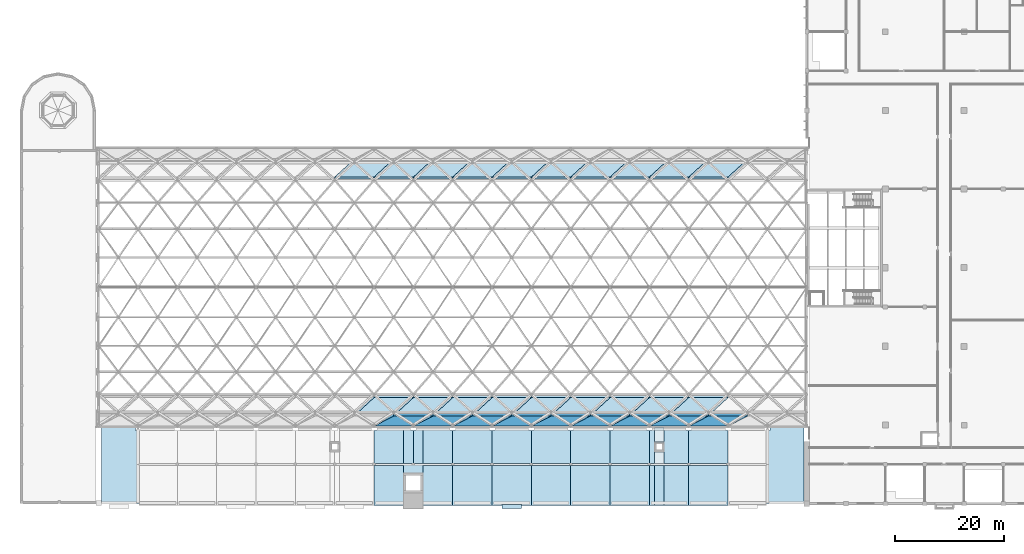
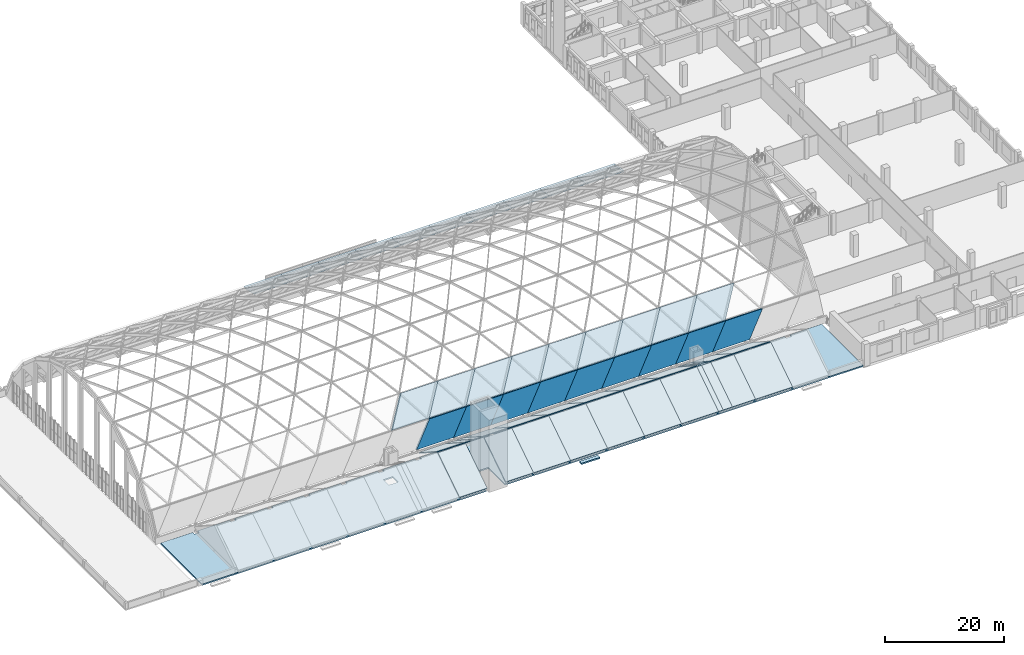
# One storey, part 27 of 52: 55 slabs.
"""IFC4 building model written with IfcOpenShell, lengths in metres."""

from ifc_helpers import new_model, si_unit, direction, frame, origin, place, context, subcontext, project, spatial, polyline, outline, extrude, material, layer, layer_set, type_object, element, save


model = new_model("IFC4")

# Units and contexts
model_context = context("Model", 3, precision=1e-05, world=origin(), true_north=direction((0.0, 1.0)))
body_context = subcontext(model_context, "Body", "Model", "MODEL_VIEW")
ifc_project = project(units=[si_unit("LENGTHUNIT", "METRE"), si_unit("AREAUNIT", "SQUARE_METRE"), si_unit("VOLUMEUNIT", "CUBIC_METRE"), si_unit("PLANEANGLEUNIT", "RADIAN"), si_unit("MASSUNIT", "GRAM", prefix="KILO")], contexts=[model_context])

# Site, building, storey
site_placement = place(None, origin())
site = spatial("IfcSite", under=ifc_project, at=site_placement, CompositionType="ELEMENT")
building_placement = place(site_placement, origin())
building = spatial("IfcBuilding", under=site, at=building_placement, Name="Vermilion Court Aquatics Centre", CompositionType="ELEMENT")
storey_placement = place(building_placement, frame((0.0, 0.0, 12.0)))
storey = spatial("IfcBuildingStorey", under=building, at=storey_placement, Name="L02", CompositionType="ELEMENT", Elevation=12.0)

# Slabs
ifc_material_1 = material(Name="Zinc standing seam sheet", Category="metal")
ifc_layer_1 = layer(ifc_material_1, 0.5)
ifc_layer_set_1 = layer_set([ifc_layer_1], Name="Roof insulated cover panel")
slab_type_1 = type_object("IfcSlabType", Name="Roof insulated cover panel", PredefinedType="ROOF", material=ifc_layer_set_1)
slab_1_placement = place(storey_placement, frame((64.800048828125, 14.179931640625, 1.556640625), z_axis=(0.0, -0.907449295739, 0.420161606603), x_axis=(1.0, 0.0, 0.0)))
element("IfcSlab", 1, at=slab_1_placement, inside=storey, type_object=slab_type_1, Name="Roof panel RP-00-08", PredefinedType="ROOF", context=body_context, shape_type="SweptSolid", body=[
    extrude(outline(polyline([(0.0, 0.0), (7.199951171875, 0.0), (10.800048828125, 4.404462255515163), (3.599853515625, 4.404462255515163), (0.0, 0.0)])), origin(), (0.0, 0.0, -1.0), 0.5),
])
for number, where, z_axis, x_axis, name in (
    (2, (72.0, 14.179931640625, 1.556640625), (0.0, -0.907449295739, 0.420161606603), (1.0, 0.0, 0.0), "Roof panel RP-00-09"),
    (3, (79.199951171875, 14.179931640625, 1.556640625), (0.0, -0.907449295739, 0.420161606603), (1.0, 0.0, 0.0), "Roof panel RP-00-10"),
):
    element("IfcSlab", number, at=place(storey_placement, frame(where, z_axis=z_axis, x_axis=x_axis)), inside=storey, type_object=slab_type_1, Name=name, PredefinedType="ROOF", context=body_context, shape_type="SweptSolid", body=[
        extrude(outline(polyline([(0.0, 0.0), (7.199951171875, 0.0), (10.800048828125, 4.404462255515163), (3.60009765625, 4.404462255515163), (0.0, 0.0)])), origin(), (0.0, 0.0, -1.0), 0.5),
    ])
slab_2_placement = place(storey_placement, frame((86.39990234375, 14.179931640625, 1.556640625), z_axis=(0.0, -0.907449295739, 0.420161606603), x_axis=(1.0, 0.0, 0.0)))
element("IfcSlab", 4, at=slab_2_placement, inside=storey, type_object=slab_type_1, Name="Roof panel RP-00-11", PredefinedType="ROOF", context=body_context, shape_type="SweptSolid", body=[
    extrude(outline(polyline([(0.0, 0.0), (7.2001953125, 0.0), (10.800048828125, 4.404462255515163), (3.60009765625, 4.404462255515163), (0.0, 0.0)])), origin(), (0.0, 0.0, -1.0), 0.5),
])
slab_3_placement = place(storey_placement, frame((93.60009765625, 14.179931640625, 1.556640625), z_axis=(0.0, -0.907449295739, 0.420161606603), x_axis=(1.0, 0.0, 0.0)))
element("IfcSlab", 5, at=slab_3_placement, inside=storey, type_object=slab_type_1, Name="Roof panel RP-00-12", PredefinedType="ROOF", context=body_context, shape_type="SweptSolid", body=[
    extrude(outline(polyline([(0.0, 0.0), (7.199951171875, 0.0), (10.7998046875, 4.404462255515163), (3.599853515625, 4.404462255515163), (0.0, 0.0)])), origin(), (0.0, 0.0, -1.0), 0.5),
])
slab_4_placement = place(storey_placement, frame((100.800048828125, 14.179931640625, 1.556640625), z_axis=(0.0, -0.907449295739, 0.420161606603), x_axis=(1.0, 0.0, 0.0)))
element("IfcSlab", 6, at=slab_4_placement, inside=storey, type_object=slab_type_1, Name="Roof panel RP-00-13", PredefinedType="ROOF", context=body_context, shape_type="SweptSolid", body=[
    extrude(outline(polyline([(0.0, 0.0), (7.199951171875, 0.0), (10.800048828125, 4.404462255515163), (3.599853515625, 4.404462255515163), (0.0, 0.0)])), origin(), (0.0, 0.0, -1.0), 0.5),
])
for number, where, z_axis, x_axis, name in (
    (7, (108.0, 14.179931640625, 1.556640625), (0.0, -0.907449295739, 0.420161606603), (1.0, 0.0, 0.0), "Roof panel RP-00-14"),
    (8, (115.199951171875, 14.179931640625, 1.556640625), (0.0, -0.907449295739, 0.420161606603), (1.0, 0.0, 0.0), "Roof panel RP-00-15"),
):
    element("IfcSlab", number, at=place(storey_placement, frame(where, z_axis=z_axis, x_axis=x_axis)), inside=storey, type_object=slab_type_1, Name=name, PredefinedType="ROOF", context=body_context, shape_type="SweptSolid", body=[
        extrude(outline(polyline([(0.0, 0.0), (7.199951171875, 0.0), (10.800048828125, 4.404462255515163), (3.60009765625, 4.404462255515163), (0.0, 0.0)])), origin(), (0.0, 0.0, -1.0), 0.5),
    ])
slab_5_placement = place(storey_placement, frame((122.39990234375, 14.179931640625, 1.556640625), z_axis=(0.0, -0.907449295739, 0.420161606603), x_axis=(1.0, 0.0, 0.0)))
element("IfcSlab", 9, at=slab_5_placement, inside=storey, type_object=slab_type_1, Name="Roof panel RP-00-16", PredefinedType="ROOF", context=body_context, shape_type="SweptSolid", body=[
    extrude(outline(polyline([(0.0, 0.0), (7.2001953125, 0.0), (10.800048828125, 4.404462255515163), (3.60009765625, 4.404462255515163), (0.0, 0.0)])), origin(), (0.0, 0.0, -1.0), 0.5),
])
slab_6_placement = place(storey_placement, frame((61.199951171875, 16.10986328125, 5.6865234375), z_axis=(0.0, -0.801705287013, 0.597719526848), x_axis=(1.0, 0.0, 0.0)))
element("IfcSlab", 10, at=slab_6_placement, inside=storey, type_object=slab_type_1, Name="Roof panel RP-01-07", PredefinedType="ROOF", context=body_context, shape_type="SweptSolid", body=[
    extrude(outline(polyline([(0.0, 0.0), (7.199951171875, 0.0), (10.800048828125, 5.50431919105559), (3.60009765625, 5.50431919105559), (0.0, 0.0)])), origin(), (0.0, 0.0, -1.0), 0.5),
])
slab_7_placement = place(storey_placement, frame((68.39990234375, 16.10986328125, 5.6865234375), z_axis=(0.0, -0.801705287013, 0.597719526848), x_axis=(1.0, 0.0, 0.0)))
element("IfcSlab", 11, at=slab_7_placement, inside=storey, type_object=slab_type_1, Name="Roof panel RP-01-08", PredefinedType="ROOF", context=body_context, shape_type="SweptSolid", body=[
    extrude(outline(polyline([(0.0, 0.0), (7.2001953125, 0.0), (10.800048828125, 5.504319191055588), (3.60009765625, 5.504319191055588), (0.0, 0.0)])), origin(), (0.0, 0.0, -1.0), 0.5),
])
slab_8_placement = place(storey_placement, frame((75.60009765625, 16.10986328125, 5.6865234375), z_axis=(0.0, -0.801705287013, 0.597719526848), x_axis=(1.0, 0.0, 0.0)))
element("IfcSlab", 12, at=slab_8_placement, inside=storey, type_object=slab_type_1, Name="Roof panel RP-01-09", PredefinedType="ROOF", context=body_context, shape_type="SweptSolid", body=[
    extrude(outline(polyline([(0.0, 0.0), (7.199951171875, 0.0), (10.7998046875, 5.50431919105559), (3.599853515625, 5.50431919105559), (0.0, 0.0)])), origin(), (0.0, 0.0, -1.0), 0.5),
])
slab_9_placement = place(storey_placement, frame((82.800048828125, 16.10986328125, 5.6865234375), z_axis=(0.0, -0.801705287013, 0.597719526848), x_axis=(1.0, 0.0, 0.0)))
element("IfcSlab", 13, at=slab_9_placement, inside=storey, type_object=slab_type_1, Name="Roof panel RP-01-10", PredefinedType="ROOF", context=body_context, shape_type="SweptSolid", body=[
    extrude(outline(polyline([(0.0, 0.0), (7.199951171875, 0.0), (10.800048828125, 5.504319191055588), (3.599853515625, 5.504319191055588), (0.0, 0.0)])), origin(), (0.0, 0.0, -1.0), 0.5),
])
for number, where, z_axis, x_axis, name in (
    (14, (90.0, 16.10986328125, 5.6865234375), (0.0, -0.801705287013, 0.597719526848), (1.0, 0.0, 0.0), "Roof panel RP-01-11"),
    (15, (97.199951171875, 16.10986328125, 5.6865234375), (0.0, -0.801705287013, 0.597719526848), (1.0, 0.0, 0.0), "Roof panel RP-01-12"),
):
    element("IfcSlab", number, at=place(storey_placement, frame(where, z_axis=z_axis, x_axis=x_axis)), inside=storey, type_object=slab_type_1, Name=name, PredefinedType="ROOF", context=body_context, shape_type="SweptSolid", body=[
        extrude(outline(polyline([(0.0, 0.0), (7.199951171875, 0.0), (10.800048828125, 5.50431919105559), (3.60009765625, 5.50431919105559), (0.0, 0.0)])), origin(), (0.0, 0.0, -1.0), 0.5),
    ])
slab_10_placement = place(storey_placement, frame((104.39990234375, 16.10986328125, 5.6865234375), z_axis=(0.0, -0.801705287013, 0.597719526848), x_axis=(1.0, 0.0, 0.0)))
element("IfcSlab", 16, at=slab_10_placement, inside=storey, type_object=slab_type_1, Name="Roof panel RP-01-13", PredefinedType="ROOF", context=body_context, shape_type="SweptSolid", body=[
    extrude(outline(polyline([(0.0, 0.0), (7.2001953125, 0.0), (10.800048828125, 5.504319191055588), (3.60009765625, 5.504319191055588), (0.0, 0.0)])), origin(), (0.0, 0.0, -1.0), 0.5),
])
slab_11_placement = place(storey_placement, frame((111.60009765625, 16.10986328125, 5.6865234375), z_axis=(0.0, -0.801705287013, 0.597719526848), x_axis=(1.0, 0.0, 0.0)))
element("IfcSlab", 17, at=slab_11_placement, inside=storey, type_object=slab_type_1, Name="Roof panel RP-01-14", PredefinedType="ROOF", context=body_context, shape_type="SweptSolid", body=[
    extrude(outline(polyline([(0.0, 0.0), (7.199951171875, 0.0), (10.7998046875, 5.50431919105559), (3.599853515625, 5.50431919105559), (0.0, 0.0)])), origin(), (0.0, 0.0, -1.0), 0.5),
])
slab_12_placement = place(storey_placement, frame((118.800048828125, 16.10986328125, 5.6865234375), z_axis=(0.0, -0.801705287013, 0.597719526848), x_axis=(1.0, 0.0, 0.0)))
element("IfcSlab", 18, at=slab_12_placement, inside=storey, type_object=slab_type_1, Name="Roof panel RP-01-15", PredefinedType="ROOF", context=body_context, shape_type="SweptSolid", body=[
    extrude(outline(polyline([(0.0, 0.0), (7.199951171875, 0.0), (10.800048828125, 5.504319191055588), (3.599853515625, 5.504319191055588), (0.0, 0.0)])), origin(), (0.0, 0.0, -1.0), 0.5),
])
slab_13_placement = place(storey_placement, frame((57.60009765625, 59.80029296875, 10.099365234375), z_axis=(0.0, 0.801705287013, 0.597719526848), x_axis=(1.0, 0.0, 0.0)))
element("IfcSlab", 19, at=slab_13_placement, inside=storey, type_object=slab_type_1, Name="Roof panel RP-10-07", PredefinedType="ROOF", context=body_context, shape_type="SweptSolid", body=[
    extrude(outline(polyline([(0.0, 0.0), (7.199951171875, 0.0), (10.7998046875, 5.50431919105559), (3.599853515625, 5.50431919105559), (0.0, 0.0)])), origin(), (0.0, 0.0, -1.0), 0.5),
])
slab_14_placement = place(storey_placement, frame((64.800048828125, 59.80029296875, 10.099365234375), z_axis=(0.0, 0.801705287013, 0.597719526848), x_axis=(1.0, 0.0, 0.0)))
element("IfcSlab", 20, at=slab_14_placement, inside=storey, type_object=slab_type_1, Name="Roof panel RP-10-08", PredefinedType="ROOF", context=body_context, shape_type="SweptSolid", body=[
    extrude(outline(polyline([(0.0, 0.0), (7.199951171875, 0.0), (10.800048828125, 5.504319191055588), (3.599853515625, 5.504319191055588), (0.0, 0.0)])), origin(), (0.0, 0.0, -1.0), 0.5),
])
for number, where, z_axis, x_axis, name in (
    (21, (72.0, 59.80029296875, 10.099365234375), (0.0, 0.801705287013, 0.597719526848), (1.0, 0.0, 0.0), "Roof panel RP-10-09"),
    (22, (79.199951171875, 59.80029296875, 10.099365234375), (0.0, 0.801705287013, 0.597719526848), (1.0, 0.0, 0.0), "Roof panel RP-10-10"),
):
    element("IfcSlab", number, at=place(storey_placement, frame(where, z_axis=z_axis, x_axis=x_axis)), inside=storey, type_object=slab_type_1, Name=name, PredefinedType="ROOF", context=body_context, shape_type="SweptSolid", body=[
        extrude(outline(polyline([(0.0, 0.0), (7.199951171875, 0.0), (10.800048828125, 5.50431919105559), (3.60009765625, 5.50431919105559), (0.0, 0.0)])), origin(), (0.0, 0.0, -1.0), 0.5),
    ])
slab_15_placement = place(storey_placement, frame((86.39990234375, 59.80029296875, 10.099365234375), z_axis=(0.0, 0.801705287013, 0.597719526848), x_axis=(1.0, 0.0, 0.0)))
element("IfcSlab", 23, at=slab_15_placement, inside=storey, type_object=slab_type_1, Name="Roof panel RP-10-11", PredefinedType="ROOF", context=body_context, shape_type="SweptSolid", body=[
    extrude(outline(polyline([(0.0, 0.0), (7.2001953125, 0.0), (10.800048828125, 5.504319191055588), (3.60009765625, 5.504319191055588), (0.0, 0.0)])), origin(), (0.0, 0.0, -1.0), 0.5),
])
slab_16_placement = place(storey_placement, frame((93.60009765625, 59.80029296875, 10.099365234375), z_axis=(0.0, 0.801705287013, 0.597719526848), x_axis=(1.0, 0.0, 0.0)))
element("IfcSlab", 24, at=slab_16_placement, inside=storey, type_object=slab_type_1, Name="Roof panel RP-10-12", PredefinedType="ROOF", context=body_context, shape_type="SweptSolid", body=[
    extrude(outline(polyline([(0.0, 0.0), (7.199951171875, 0.0), (10.7998046875, 5.50431919105559), (3.599853515625, 5.50431919105559), (0.0, 0.0)])), origin(), (0.0, 0.0, -1.0), 0.5),
])
slab_17_placement = place(storey_placement, frame((100.800048828125, 59.80029296875, 10.099365234375), z_axis=(0.0, 0.801705287013, 0.597719526848), x_axis=(1.0, 0.0, 0.0)))
element("IfcSlab", 25, at=slab_17_placement, inside=storey, type_object=slab_type_1, Name="Roof panel RP-10-13", PredefinedType="ROOF", context=body_context, shape_type="SweptSolid", body=[
    extrude(outline(polyline([(0.0, 0.0), (7.199951171875, 0.0), (10.800048828125, 5.504319191055588), (3.599853515625, 5.504319191055588), (0.0, 0.0)])), origin(), (0.0, 0.0, -1.0), 0.5),
])
for number, where, z_axis, x_axis, name in (
    (26, (108.0, 59.80029296875, 10.099365234375), (0.0, 0.801705287013, 0.597719526848), (1.0, 0.0, 0.0), "Roof panel RP-10-14"),
    (27, (115.199951171875, 59.80029296875, 10.099365234375), (0.0, 0.801705287013, 0.597719526848), (1.0, 0.0, 0.0), "Roof panel RP-10-15"),
):
    element("IfcSlab", number, at=place(storey_placement, frame(where, z_axis=z_axis, x_axis=x_axis)), inside=storey, type_object=slab_type_1, Name=name, PredefinedType="ROOF", context=body_context, shape_type="SweptSolid", body=[
        extrude(outline(polyline([(0.0, 0.0), (7.199951171875, 0.0), (10.800048828125, 5.50431919105559), (3.60009765625, 5.50431919105559), (0.0, 0.0)])), origin(), (0.0, 0.0, -1.0), 0.5),
    ])
slab_18_placement = place(storey_placement, frame((122.39990234375, 59.80029296875, 10.099365234375), z_axis=(0.0, 0.801705287013, 0.597719526848), x_axis=(1.0, 0.0, 0.0)))
element("IfcSlab", 28, at=slab_18_placement, inside=storey, type_object=slab_type_1, Name="Roof panel RP-10-16", PredefinedType="ROOF", context=body_context, shape_type="SweptSolid", body=[
    extrude(outline(polyline([(0.0, 0.0), (7.2001953125, 0.0), (10.800048828125, 5.504319191055588), (3.60009765625, 5.504319191055588), (0.0, 0.0)])), origin(), (0.0, 0.0, -1.0), 0.5),
])
ifc_material_2 = material(Name="Concrete 5000 psi", Category="concrete")
ifc_layer_2 = layer(ifc_material_2, 0.27490234375)
ifc_layer_set_2 = layer_set([ifc_layer_2], Name="South bay roof slab 275")
slab_type_2 = type_object("IfcSlabType", Name="South bay roof slab 275", PredefinedType="ROOF", material=ifc_layer_set_2)
slab_19_placement = place(storey_placement, frame((0.0, 0.0, -0.550048828125)))
element("IfcSlab", 29, at=slab_19_placement, inside=storey, type_object=slab_type_2, Name="South oriel roof slab", PredefinedType="ROOF", context=body_context, shape_type="SweptSolid", body=[
    extrude(outline(polyline([(88.199951171875, -0.89990234375), (91.800048828125, -0.89990234375), (91.800048828125, -0.14990234375), (88.199951171875, -0.14990234375), (88.199951171875, -0.89990234375)])), origin(), (0.0, 0.0, 1.0), 0.275146484375),
])
ifc_material_3 = material(Name="Concrete 5000 psi", Category="concrete")
ifc_layer_3 = layer(ifc_material_3, 0.27490234375)
ifc_layer_set_3 = layer_set([ifc_layer_3], Name="South roof slab 275")
slab_type_3 = type_object("IfcSlabType", Name="South roof slab 275", PredefinedType="ROOF", material=ifc_layer_set_3)
slab_20_placement = place(storey_placement, frame((0.0, 0.0, -0.27490234375)))
element("IfcSlab", 30, at=slab_20_placement, inside=storey, type_object=slab_type_3, Name="South range roof slab", PredefinedType="ROOF", context=body_context, shape_type="SweptSolid", body=[
    extrude(outline(polyline([(14.89990234375, 0.0), (14.89990234375, 14.0), (21.10009765625, 14.0), (21.10009765625, 13.39990234375), (22.10009765625, 13.39990234375), (22.10009765625, 14.0), (28.300048828125, 14.0), (28.300048828125, 13.39990234375), (29.300048828125, 13.39990234375), (29.300048828125, 14.0), (35.5, 14.0), (35.5, 13.39990234375), (36.5, 13.39990234375), (36.5, 14.0), (42.699951171875, 14.0), (42.699951171875, 13.39990234375), (43.699951171875, 13.39990234375), (43.699951171875, 14.0), (49.89990234375, 14.0), (49.89990234375, 13.39990234375), (50.89990234375, 13.39990234375), (50.89990234375, 14.0), (57.10009765625, 14.0), (57.10009765625, 13.39990234375), (58.10009765625, 13.39990234375), (58.10009765625, 14.0), (64.300048828125, 14.0), (64.300048828125, 13.39990234375), (65.300048828125, 13.39990234375), (65.300048828125, 14.0), (71.5, 14.0), (71.5, 13.39990234375), (72.5, 13.39990234375), (72.5, 14.0), (78.699951171875, 14.0), (78.699951171875, 13.39990234375), (79.699951171875, 13.39990234375), (79.699951171875, 14.0), (85.89990234375, 14.0), (85.89990234375, 13.39990234375), (86.89990234375, 13.39990234375), (86.89990234375, 14.0), (93.10009765625, 14.0), (93.10009765625, 13.39990234375), (94.10009765625, 13.39990234375), (94.10009765625, 14.0), (100.300048828125, 14.0), (100.300048828125, 13.39990234375), (101.300048828125, 13.39990234375), (101.300048828125, 14.0), (107.5, 14.0), (107.5, 13.39990234375), (108.5, 13.39990234375), (108.5, 14.0), (114.699951171875, 14.0), (114.699951171875, 13.39990234375), (115.699951171875, 13.39990234375), (115.699951171875, 14.0), (121.89990234375, 14.0), (121.89990234375, 13.39990234375), (122.89990234375, 13.39990234375), (122.89990234375, 14.0), (129.10009765625, 14.0), (129.10009765625, 13.39990234375), (130.10009765625, 13.39990234375), (130.10009765625, 14.0), (136.300048828125, 14.0), (136.300048828125, 13.39990234375), (137.300048828125, 13.39990234375), (137.300048828125, 14.0), (143.5, 14.0), (143.5, 0.449951171875), (143.550048828125, 0.449951171875), (143.550048828125, 0.0), (143.5, 0.0), (73.800048828125, 0.0), (73.800048828125, 5.60009765625), (70.199951171875, 5.60009765625), (70.199951171875, 0.0), (14.89990234375, 0.0)]), holes=[polyline([(56.699951171875, 9.5), (58.5, 9.5), (58.5, 11.300048828125), (56.699951171875, 11.300048828125), (56.699951171875, 9.5)]), polyline([(116.10009765625, 9.5), (117.89990234375, 9.5), (117.89990234375, 11.300048828125), (116.10009765625, 11.300048828125), (116.10009765625, 9.5)])]), origin(), (0.0, 0.0, 1.0), 0.27490234375),
])
ifc_material_4 = material(Name="Concrete 4000 psi", Category="concrete")
ifc_layer_4 = layer(ifc_material_4, 0.159912109375)
ifc_layer_set_4 = layer_set([ifc_layer_4], Name="South roof slab terracotta tiled 160")
slab_type_4 = type_object("IfcSlabType", Name="South roof slab terracotta tiled 160", PredefinedType="ROOF", material=ifc_layer_set_4)
for number, where, z_axis, x_axis, name in (
    (31, (70.199951171875, -0.300048828125, 0.579345703125), (0.0, -0.544640288858, 0.838669753689), (-1.0, 0.0, 0.0), "South roof slab"),
    (32, (73.800048828125, 7.0, 5.320068359375), (0.0, -0.544640288858, 0.838669753689), (1.0, 0.0, 0.0), "South roof slab"),
):
    element("IfcSlab", number, at=place(storey_placement, frame(where, z_axis=z_axis, x_axis=x_axis)), inside=storey, type_object=slab_type_4, Name=name, PredefinedType="ROOF", context=body_context, shape_type="SweptSolid", body=[
        extrude(outline(polyline([(0.0, 0.0), (5.39990234375, 0.0), (5.39990234375, -8.704318709496524), (0.0, -8.704318709496524), (0.0, 0.0)])), origin(), (0.0, 0.0, -1.0), 0.159912109375),
    ])
slab_21_placement = place(storey_placement, frame((79.199951171875, -0.300048828125, 0.579345703125), z_axis=(0.0, -0.544640288858, 0.838669753689), x_axis=(0.0, 0.838669753689, 0.544640288858)))
element("IfcSlab", 33, at=slab_21_placement, inside=storey, type_object=slab_type_4, Name="South roof slab", PredefinedType="ROOF", context=body_context, shape_type="SweptSolid", body=[
    extrude(outline(polyline([(0.0, 0.0), (8.704318709496524, 0.0), (8.704318709496524, -7.199951171875), (0.0, -7.199951171875), (0.0, 0.0)])), origin(), (0.0, 0.0, -1.0), 0.159912109375),
])
slab_22_placement = place(storey_placement, frame((86.39990234375, -0.300048828125, 0.579345703125), z_axis=(0.0, -0.544640288858, 0.838669753689), x_axis=(0.0, 0.838669753689, 0.544640288858)))
element("IfcSlab", 34, at=slab_22_placement, inside=storey, type_object=slab_type_4, Name="South roof slab", PredefinedType="ROOF", context=body_context, shape_type="SweptSolid", body=[
    extrude(outline(polyline([(0.0, 0.0), (8.704318709496524, 0.0), (8.704318709496524, -7.2001953125), (0.0, -7.2001953125), (0.0, 0.0)])), origin(), (0.0, 0.0, -1.0), 0.159912109375),
])
for number, where, z_axis, x_axis, name in (
    (35, (93.60009765625, -0.300048828125, 0.579345703125), (0.0, -0.544640288858, 0.838669753689), (0.0, 0.838669753689, 0.544640288858), "South roof slab"),
    (36, (100.800048828125, -0.300048828125, 0.579345703125), (0.0, -0.544640288858, 0.838669753689), (0.0, 0.838669753689, 0.544640288858), "South roof slab"),
    (37, (108.0, -0.300048828125, 0.579345703125), (0.0, -0.544640288858, 0.838669753689), (0.0, 0.838669753689, 0.544640288858), "South roof slab"),
):
    element("IfcSlab", number, at=place(storey_placement, frame(where, z_axis=z_axis, x_axis=x_axis)), inside=storey, type_object=slab_type_4, Name=name, PredefinedType="ROOF", context=body_context, shape_type="SweptSolid", body=[
        extrude(outline(polyline([(0.0, 0.0), (8.704318709496524, 0.0), (8.704318709496524, -7.199951171875), (0.0, -7.199951171875), (0.0, 0.0)])), origin(), (0.0, 0.0, -1.0), 0.159912109375),
    ])
slab_23_placement = place(storey_placement, frame((115.199951171875, -0.300048828125, 0.579345703125), z_axis=(0.0, -0.544640288858, 0.838669753689), x_axis=(0.0, 0.838669753689, 0.544640288858)))
element("IfcSlab", 38, at=slab_23_placement, inside=storey, type_object=slab_type_4, Name="South roof slab", PredefinedType="ROOF", context=body_context, shape_type="SweptSolid", body=[
    extrude(outline(polyline([(0.0, 0.0), (8.704318709496524, 0.0), (8.704318709496524, -0.900146484375), (0.0, -0.900146484375), (0.0, 0.0)])), origin(), (0.0, 0.0, -1.0), 0.159912109375),
])
slab_24_placement = place(storey_placement, frame((116.10009765625, -0.300048828125, 0.579345703125), z_axis=(0.0, -0.544640288858, 0.838669753689), x_axis=(0.0, 0.838669753689, 0.544640288858)))
element("IfcSlab", 39, at=slab_24_placement, inside=storey, type_object=slab_type_4, Name="South roof slab", PredefinedType="ROOF", context=body_context, shape_type="SweptSolid", body=[
    extrude(outline(polyline([(0.0, 0.0), (8.704318709496524, 0.0), (8.704318709496524, -1.7998046875), (0.0, -1.7998046875), (0.0, 0.0)])), origin(), (0.0, 0.0, -1.0), 0.159912109375),
])
slab_25_placement = place(storey_placement, frame((117.89990234375, -0.300048828125, 0.579345703125), z_axis=(0.0, -0.544640288858, 0.838669753689), x_axis=(0.0, 0.838669753689, 0.544640288858)))
element("IfcSlab", 40, at=slab_25_placement, inside=storey, type_object=slab_type_4, Name="South roof slab", PredefinedType="ROOF", context=body_context, shape_type="SweptSolid", body=[
    extrude(outline(polyline([(0.0, 0.0), (8.704318709496524, 0.0), (8.704318709496524, -4.5), (0.0, -4.5), (0.0, 0.0)])), origin(), (0.0, 0.0, -1.0), 0.159912109375),
])
slab_26_placement = place(storey_placement, frame((122.39990234375, -0.300048828125, 0.579345703125), z_axis=(0.0, -0.544640288858, 0.838669753689), x_axis=(0.0, 0.838669753689, 0.544640288858)))
element("IfcSlab", 41, at=slab_26_placement, inside=storey, type_object=slab_type_4, Name="South roof slab", PredefinedType="ROOF", context=body_context, shape_type="SweptSolid", body=[
    extrude(outline(polyline([(0.0, 0.0), (8.704318709496524, 0.0), (8.704318709496524, -7.2001953125), (0.0, -7.2001953125), (0.0, 0.0)])), origin(), (0.0, 0.0, -1.0), 0.159912109375),
])
slab_27_placement = place(storey_placement, frame((70.199951171875, 13.949951171875, 1.06640625), z_axis=(-2.273336e-06, 0.544640239578, 0.838669785689), x_axis=(-1e-12, -0.838669785691, 0.544640239579)))
element("IfcSlab", 42, at=slab_27_placement, inside=storey, type_object=slab_type_4, Name="South roof slab", PredefinedType="ROOF", context=body_context, shape_type="SweptSolid", body=[
    extrude(outline(polyline([(0.0, 0.0), (7.810043597288628, 0.0), (7.810043597292201, -5.399902343736047), (0.6558426996291491, -5.399902343791426), (0.6558426996288182, -4.899902343792719), (3.2423609418165585e-12, -4.899902343737339), (0.0, 0.0)])), origin(), (0.0, 0.0, -1.0), 0.159912109375),
])
slab_28_placement = place(storey_placement, frame((72.0, 7.39990234375, 5.320068359375), z_axis=(6.92828e-06, 0.54464073943, 0.838669461054), x_axis=(-0.999999999976, 3.773423e-06, 5.810537e-06)))
element("IfcSlab", 43, at=slab_28_placement, inside=storey, type_object=slab_type_4, Name="South roof slab", PredefinedType="ROOF", context=body_context, shape_type="SweptSolid", body=[
    extrude(outline(polyline([(0.0, 0.0), (1.800048828081798, -7.623503320441841e-22), (1.8000488281297988, -7.810043597285886), (0.5000000000360009, -7.810043597285886), (0.4999999998631923, -7.154200897675061), (-1.2480744801022874e-10, -7.154200897675061), (0.0, 0.0)])), origin(), (0.0, 0.0, -1.0), 0.159912109375),
])
slab_29_placement = place(storey_placement, frame((73.800048828125, 13.949951171875, 1.06640625), z_axis=(-6.92828e-06, 0.54464073943, 0.838669461054), x_axis=(-6e-12, -0.838669461074, 0.544640739443)))
element("IfcSlab", 44, at=slab_29_placement, inside=storey, type_object=slab_type_4, Name="South roof slab", PredefinedType="ROOF", context=body_context, shape_type="SweptSolid", body=[
    extrude(outline(polyline([(0.0, 0.0), (7.810043597285886, 0.0), (7.810043597296949, -1.800048828081798), (0.6558426996218893, -1.8000488282505755), (0.6558426996188164, -1.300048828262576), (7.990188943636747e-12, -1.3000488280937983), (0.0, 0.0)])), origin(), (0.0, 0.0, -1.0), 0.159912109375),
])
slab_30_placement = place(storey_placement, frame((79.199951171875, 7.39990234375, 5.320068359375), z_axis=(2.273336e-06, 0.544640239578, 0.838669785689), x_axis=(-0.999999999997, 1.23815e-06, 1.906579e-06)))
element("IfcSlab", 45, at=slab_30_placement, inside=storey, type_object=slab_type_4, Name="South roof slab", PredefinedType="ROOF", context=body_context, shape_type="SweptSolid", body=[
    extrude(outline(polyline([(0.0, 0.0), (5.399902343736047, -1.1434737992779916e-21), (5.399902343741215, -7.810043597288629), (0.500000000003876, -7.810043597288629), (0.499999999948062, -7.154200897663053), (-5.064596061986787e-11, -7.154200897663053), (0.0, 0.0)])), origin(), (0.0, 0.0, -1.0), 0.159912109375),
])
slab_31_placement = place(storey_placement, frame((86.39990234375, 7.39990234375, 5.320068359375), z_axis=(0.0, 0.544640363075, 0.838669705492), x_axis=(-1.0, 0.0, 0.0)))
element("IfcSlab", 46, at=slab_31_placement, inside=storey, type_object=slab_type_4, Name="South roof slab", PredefinedType="ROOF", context=body_context, shape_type="SweptSolid", body=[
    extrude(outline(polyline([(0.0, 0.0), (7.199951171875, 0.0), (7.199951171875, -7.154200897666255), (6.699951171875, -7.154200897666255), (6.699951171875, -7.8100435972882085), (0.5, -7.8100435972882085), (0.5, -7.154200897666255), (0.0, -7.154200897666255), (0.0, 0.0)])), origin(), (0.0, 0.0, -1.0), 0.159912109375),
])
slab_32_placement = place(storey_placement, frame((93.60009765625, 7.39990234375, 5.320068359375), z_axis=(0.0, 0.544640363062, 0.8386697055), x_axis=(-1.0, 0.0, 0.0)))
element("IfcSlab", 47, at=slab_32_placement, inside=storey, type_object=slab_type_4, Name="South roof slab", PredefinedType="ROOF", context=body_context, shape_type="SweptSolid", body=[
    extrude(outline(polyline([(0.0, 0.0), (7.2001953125, 0.0), (7.2001953125, -7.154200897666255), (6.7001953125, -7.154200897666255), (6.7001953125, -7.8100435972882085), (0.5, -7.8100435972882085), (0.5, -7.154200897666255), (0.0, -7.154200897666255), (0.0, 0.0)])), origin(), (0.0, 0.0, -1.0), 0.159912109375),
])
for number, where, z_axis, x_axis, name in (
    (48, (100.800048828125, 7.39990234375, 5.320068359375), (0.0, 0.544640363075, 0.838669705492), (-1.0, 0.0, 0.0), "South roof slab"),
    (49, (108.0, 7.39990234375, 5.320068359375), (0.0, 0.544640363075, 0.838669705492), (-1.0, 0.0, 0.0), "South roof slab"),
    (50, (115.199951171875, 7.39990234375, 5.320068359375), (0.0, 0.544640363075, 0.838669705492), (-1.0, 0.0, 0.0), "South roof slab"),
):
    element("IfcSlab", number, at=place(storey_placement, frame(where, z_axis=z_axis, x_axis=x_axis)), inside=storey, type_object=slab_type_4, Name=name, PredefinedType="ROOF", context=body_context, shape_type="SweptSolid", body=[
        extrude(outline(polyline([(0.0, 0.0), (7.199951171875, 0.0), (7.199951171875, -7.154200897666255), (6.699951171875, -7.154200897666255), (6.699951171875, -7.8100435972882085), (0.5, -7.8100435972882085), (0.5, -7.154200897666255), (0.0, -7.154200897666255), (0.0, 0.0)])), origin(), (0.0, 0.0, -1.0), 0.159912109375),
    ])
slab_33_placement = place(storey_placement, frame((116.10009765625, 7.39990234375, 5.320068359375), z_axis=(-1.4193568e-05, 0.54464151956, 0.838668954338), x_axis=(-0.999999999899, -7.730407e-06, -1.1903705e-05)))
element("IfcSlab", 51, at=slab_33_placement, inside=storey, type_object=slab_type_4, Name="South roof slab", PredefinedType="ROOF", context=body_context, shape_type="SweptSolid", body=[
    extrude(outline(polyline([(0.0, 0.0), (0.9001464842843294, 0.0), (0.9001464844455543, -7.154200897688723), (0.4001464844959187, -7.154200897688723), (0.40014648413323645, -7.810043597276063), (-2.0145738314445447e-10, -7.810043597276063), (0.0, 0.0)])), origin(), (0.0, 0.0, -1.0), 0.159912109375),
])
slab_34_placement = place(storey_placement, frame((117.89990234375, 7.39990234375, 5.320068359375), z_axis=(0.0, 0.544625037197, 0.838679658069), x_axis=(-1.0, 0.0, 0.0)))
element("IfcSlab", 52, at=slab_34_placement, inside=storey, type_object=slab_type_4, Name="South roof slab", PredefinedType="ROOF", context=body_context, shape_type="SweptSolid", body=[
    extrude(outline(polyline([(0.0, 0.0), (1.7998046875, 0.0), (1.7998046875, -2.504052215939713), (0.0, -2.504052215939713), (0.0, 0.0)])), origin(), (0.0, 0.0, -1.0), 0.159912109375),
])
slab_35_placement = place(storey_placement, frame((116.10009765625, 13.949951171875, 1.06640625), z_axis=(0.0, 0.544656968615, 0.838658921457), x_axis=(1.0, 0.0, 0.0)))
element("IfcSlab", 53, at=slab_35_placement, inside=storey, type_object=slab_type_4, Name="South roof slab", PredefinedType="ROOF", context=body_context, shape_type="SweptSolid", body=[
    extrude(outline(polyline([(0.0, 0.0), (1.7998046875, 0.0), (1.7998046875, -3.1596901624168643), (0.0, -3.1596901624168643), (0.0, 0.0)])), origin(), (0.0, 0.0, -1.0), 0.159912109375),
])
slab_36_placement = place(storey_placement, frame((122.39990234375, 7.39990234375, 5.320068359375), z_axis=(2.732236e-06, 0.544640288856, 0.838669753686), x_axis=(-0.999999999996, 1.488086e-06, 2.291444e-06)))
element("IfcSlab", 54, at=slab_36_placement, inside=storey, type_object=slab_type_4, Name="South roof slab", PredefinedType="ROOF", context=body_context, shape_type="SweptSolid", body=[
    extrude(outline(polyline([(0.0, 0.0), (4.499999999983204, 0.0), (4.499999999990669, -7.81004359728848), (0.5000000000055989, -7.81004359728848), (0.4999999999384128, -7.1542008976643485), (-5.972091014262455e-11, -7.1542008976643485), (0.0, 0.0)])), origin(), (0.0, 0.0, -1.0), 0.159912109375),
])
slab_37_placement = place(storey_placement, frame((129.60009765625, 7.39990234375, 5.320068359375), z_axis=(0.0, 0.544640363062, 0.8386697055), x_axis=(-1.0, 0.0, 0.0)))
element("IfcSlab", 55, at=slab_37_placement, inside=storey, type_object=slab_type_4, Name="South roof slab", PredefinedType="ROOF", context=body_context, shape_type="SweptSolid", body=[
    extrude(outline(polyline([(0.0, 0.0), (7.2001953125, 0.0), (7.2001953125, -7.154200897666255), (6.7001953125, -7.154200897666255), (6.7001953125, -7.8100435972882085), (0.5, -7.8100435972882085), (0.5, -7.154200897666255), (0.0, -7.154200897666255), (0.0, 0.0)])), origin(), (0.0, 0.0, -1.0), 0.159912109375),
])

save(model, "model.ifc")
